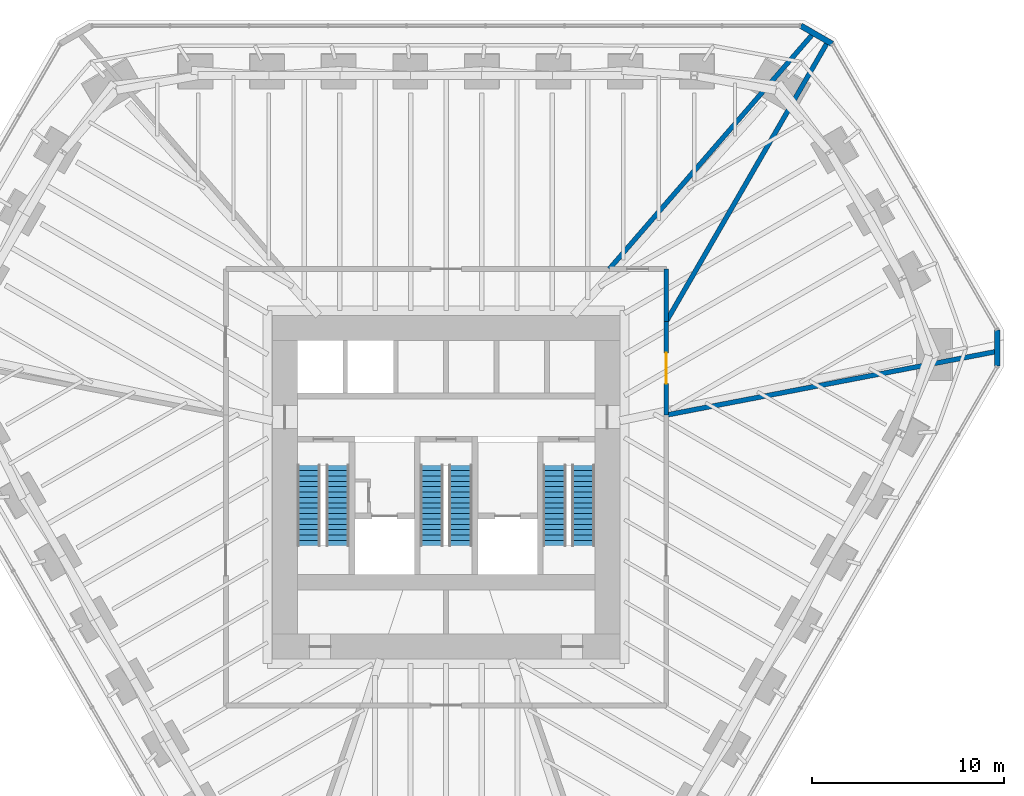
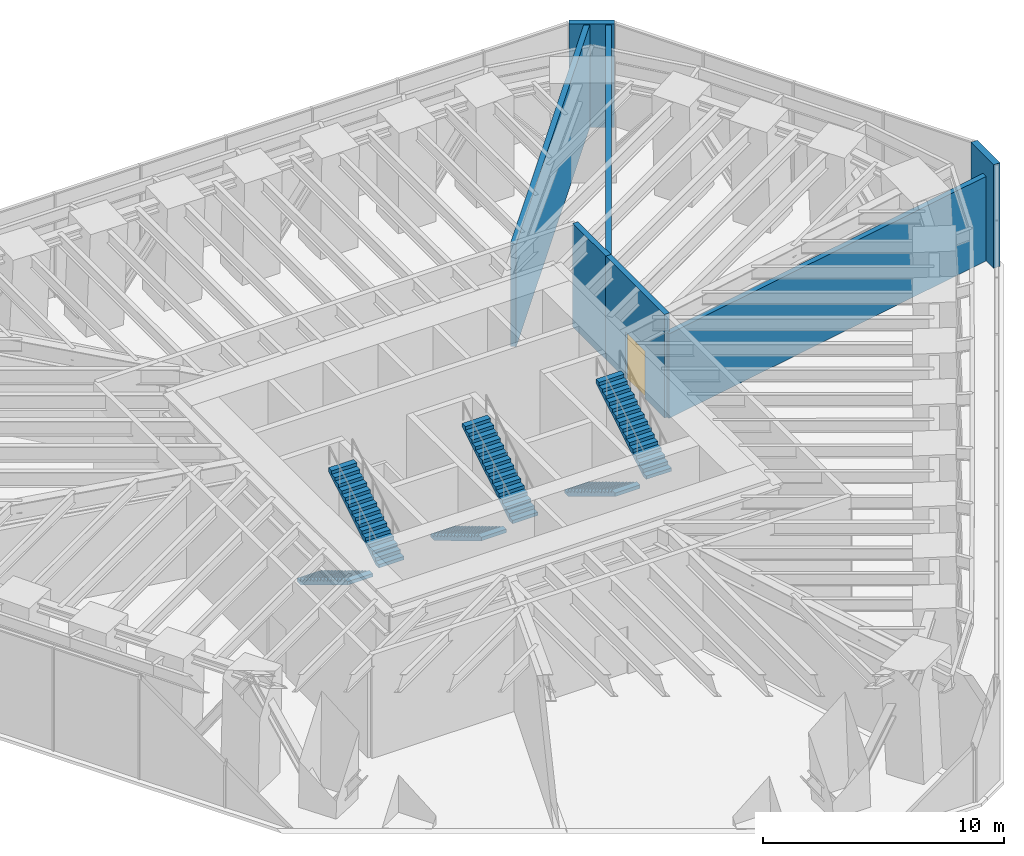
# One storey, part 11 of 12: 7 walls, 6 stair flights, 1 door, 1 opening, 3 elements without a shape of their own.
"""IFC4 building model written with IfcOpenShell, lengths in metres."""

from ifc_helpers import new_model, si_unit, direction, frame, frame_2d, origin, place, context, subcontext, project, spatial, polyline, rectangle, outline, extrude, material, layer, layer_set, type_object, element, fill, aggregate, save


model = new_model("IFC4")

# Units and contexts
model_context = context("Model", 3, precision=1e-05, world=origin(), true_north=direction((0.0, 1.0)))
body_context = subcontext(model_context, "Body", "Model", "MODEL_VIEW")
ifc_project = project(units=[si_unit("LENGTHUNIT", "METRE"), si_unit("AREAUNIT", "SQUARE_METRE"), si_unit("VOLUMEUNIT", "CUBIC_METRE"), si_unit("PLANEANGLEUNIT", "RADIAN"), si_unit("MASSUNIT", "GRAM", prefix="KILO")], contexts=[model_context])

# Site, building, storey
site_placement = place(None, origin())
site = spatial("IfcSite", under=ifc_project, at=site_placement, CompositionType="ELEMENT")
building_placement = place(site_placement, origin())
building = spatial("IfcBuilding", under=site, at=building_placement, Name="Sandreach Pilgrim Tower", CompositionType="ELEMENT")
storey_placement = place(building_placement, frame((0.0, 0.0, 172.800048828125)))
storey = spatial("IfcBuildingStorey", under=building, at=storey_placement, Name="L43", CompositionType="ELEMENT", Elevation=172.800048828125)

# Wall, opening, door
ifc_material_1 = material(Name="Acoustic gypsum board wall, double frame", Category="gypsum")
ifc_layer_1 = layer(ifc_material_1, 0.25)
ifc_layer_set_1 = layer_set([ifc_layer_1], Name="Hall partition 250")
wall_type_1 = type_object("IfcWallType", Name="Hall partition 250", PredefinedType="PARTITIONING", material=ifc_layer_set_1)
wall_1_placement = place(storey_placement, frame((11.469970703125, 2.2099609375, 0.0), z_axis=(0.0, 0.0, 1.0), x_axis=(0.0, 1.0, 0.0)))
wall_1 = element("IfcWall", 1, at=wall_1_placement, inside=storey, type_object=wall_type_1, Name="Hall partition L43-013", PredefinedType="PARTITIONING", context=body_context, shape_type="SweptSolid", body=[
    extrude(rectangle(XDim=4.8701171875, YDim=0.25, at=frame_2d((2.43505859375, 0.0))), origin(), (0.0, 0.0, 1.0), 5.239990234375),
])
opening_placement = place(wall_1_placement, frame((1.635009765625, 0.0, 0.0)))
opening = element("IfcOpeningElement", 2, at=opening_placement, cuts=wall_1, Name="Opening D16-02", PredefinedType="OPENING", context=body_context, shape_type="SweptSolid", body=[
    extrude(rectangle(XDim=1.60009765625, YDim=2.39990234375, at=frame_2d((0.800048828125, 1.199951171875))), frame((0.0, 0.125, 0.0), z_axis=(0.0, -1.0, 0.0), x_axis=(1.0, 0.0, 0.0)), (0.0, 0.0, 1.0), 0.25),
])
ifc_material_2 = material(Name="Steel door and frame", Category="steel")
door_type = type_object("IfcDoorType", Name="Hall double door", OperationType="DOUBLE_DOOR_SINGLE_SWING", PredefinedType="DOOR", material=ifc_material_2)
door_placement = place(opening_placement, origin())
door = element("IfcDoor", 3, at=door_placement, inside=storey, type_object=door_type, Name="Door 4302", OperationType="DOUBLE_DOOR_SINGLE_SWING", OverallHeight=2.39990234375, OverallWidth=1.60009765625, PredefinedType="DOOR", context=body_context, shape_type="SweptSolid", body=[
    extrude(rectangle(XDim=1.60009765625, YDim=2.39990234375, at=frame_2d((0.800048828125, 1.199951171875))), frame((0.0, 0.02490234375, 0.0), z_axis=(0.0, -1.0, 0.0), x_axis=(1.0, 0.0, 0.0)), (0.0, 0.0, 1.0), 0.050048828125),
])
fill(opening, door)

# Walls
wall_2_placement = place(storey_placement, frame((11.469970703125, 7.080078125, 0.0), z_axis=(0.0, 0.0, 1.0), x_axis=(0.0, 1.0, 0.0)))
element("IfcWall", 4, at=wall_2_placement, inside=storey, type_object=wall_type_1, Name="Hall partition L43-014", PredefinedType="PARTITIONING", context=body_context, shape_type="SweptSolid", body=[
    extrude(rectangle(XDim=2.739990234375, YDim=0.25, at=frame_2d((1.3701171875, 0.0))), origin(), (0.0, 0.0, 1.0), 5.239990234375),
])
wall_3_placement = place(storey_placement, frame((11.469970703125, 7.080078125, 0.0), z_axis=(0.0, 0.0, 1.0), x_axis=(0.499895715343, 0.866085604188, 0.0)))
element("IfcWall", 5, at=wall_3_placement, inside=storey, type_object=wall_type_1, Name="Hall partition L43-015", PredefinedType="PARTITIONING", context=body_context, shape_type="SweptSolid", body=[
    extrude(rectangle(XDim=16.87353515625, YDim=0.25, at=frame_2d((8.436767578125, 0.0))), origin(), (0.0, 0.0, 1.0), 5.199951171875),
])
wall_4_placement = place(storey_placement, frame((19.160400390625, 22.12744140625, 0.0), z_axis=(0.0, 0.0, 1.0), x_axis=(-0.654720442505, -0.755871114785, 0.0)))
element("IfcWall", 6, at=wall_4_placement, inside=storey, type_object=wall_type_1, Name="Hall partition L43-017", PredefinedType="PARTITIONING", context=body_context, shape_type="SweptSolid", body=[
    extrude(rectangle(XDim=16.282470703125, YDim=0.25, at=frame_2d((8.14111328125, 0.0))), origin(), (0.0, 0.0, 1.0), 5.199951171875),
])
wall_5_placement = place(storey_placement, frame((28.740478515625, 5.534423828125, 0.0), z_axis=(0.0, 0.0, 1.0), x_axis=(-0.981972569211, -0.189023472928, 0.0)))
element("IfcWall", 7, at=wall_5_placement, inside=storey, type_object=wall_type_1, Name="Hall partition L43-018", PredefinedType="PARTITIONING", context=body_context, shape_type="SweptSolid", body=[
    extrude(rectangle(XDim=17.587646484375, YDim=0.25, at=frame_2d((8.7939453125, 0.0))), origin(), (0.0, 0.0, 1.0), 4.282470703125),
])
ifc_material_3 = material(Name="Terracotta rainscreen on concrete", Category="masonry")
ifc_layer_2 = layer(ifc_material_3, 0.300048828125)
ifc_layer_set_2 = layer_set([ifc_layer_2], Name="Terracotta chamfer pier")
wall_type_2 = type_object("IfcWallType", Name="Terracotta chamfer pier", PredefinedType="SOLIDWALL", material=ifc_layer_set_2)
wall_6_placement = place(storey_placement, frame((18.4814453125, 22.493896484375, 0.0), z_axis=(0.0, 0.0, 1.0), x_axis=(0.865988793993, -0.500063404658, 0.0)))
element("IfcWall", 8, at=wall_6_placement, inside=storey, type_object=wall_type_2, Name="Chamfer pier L43 N", PredefinedType="SOLIDWALL", context=body_context, shape_type="SweptSolid", body=[
    extrude(rectangle(XDim=1.880126953125, YDim=0.300048828125, at=frame_2d((0.93994140625, 0.0))), origin(), (0.0, 0.0, 1.0), 5.239990234375),
])
wall_7_placement = place(storey_placement, frame((28.720947265625, 6.638427734375, 0.0), z_axis=(0.0, 0.0, 1.0), x_axis=(0.0, -1.0, 0.0)))
element("IfcWall", 9, at=wall_7_placement, inside=storey, type_object=wall_type_2, Name="Chamfer pier L43 NE", PredefinedType="SOLIDWALL", context=body_context, shape_type="SweptSolid", body=[
    extrude(rectangle(XDim=1.8798828125, YDim=0.300048828125, at=frame_2d((0.93994140625, 0.0))), origin(), (0.0, 0.0, 1.0), 5.239990234375),
])

# Stair, stair flights
ifc_material_4 = material(Name="Concrete 8000 psi", Category="concrete")
stair_type = type_object("IfcStairType", Name="Core exit stair", PredefinedType="HALF_TURN_STAIR", material=ifc_material_4)
stair_1_placement = place(storey_placement, origin())
stair_1 = element("IfcStair", 10, at=stair_1_placement, inside=storey, type_object=stair_type, Name="Exit stair ST1 L43", PredefinedType="HALF_TURN_STAIR")
ifc_material_5 = material(Name="Concrete 8000 psi", Category="concrete")
stair_flight_type = type_object("IfcStairFlightType", Name="Core stair flight 1200", PredefinedType="STRAIGHT", material=ifc_material_5)
stair_flight_1_placement = place(storey_placement, frame((-7.14990234375, -0.39990234375, 0.0), z_axis=(0.0, 0.0, 1.0), x_axis=(0.0, -1.0, 0.0)))
stair_flight_1 = element("IfcStairFlight", 11, at=stair_flight_1_placement, type_object=stair_flight_type, Name="ST1 flight 1", NumberOfRisers=16, NumberOfTreads=15, PredefinedType="STRAIGHT", RiserHeight=0.16875, TreadLength=0.28, context=body_context, shape_type="SweptSolid", body=[
    extrude(outline(polyline([(0.0, 0.0), (0.0, 0.168701171875), (0.280029296875, 0.168701171875), (0.280029296875, 0.33740234375), (0.56005859375, 0.33740234375), (0.56005859375, 0.50634765625), (0.840087890625, 0.50634765625), (0.840087890625, 0.675048828125), (1.1201171875, 0.675048828125), (1.1201171875, 0.84375), (1.39990234375, 0.84375), (1.39990234375, 1.012451171875), (1.679931640625, 1.012451171875), (1.679931640625, 1.18115234375), (1.9599609375, 1.18115234375), (1.9599609375, 1.35009765625), (2.239990234375, 1.35009765625), (2.239990234375, 1.518798828125), (2.52001953125, 1.518798828125), (2.52001953125, 1.6875), (2.800048828125, 1.6875), (2.800048828125, 1.856201171875), (3.080078125, 1.856201171875), (3.080078125, 2.02490234375), (3.360107421875, 2.02490234375), (3.360107421875, 2.19384765625), (3.639892578125, 2.19384765625), (3.639892578125, 2.362548828125), (3.919921875, 2.362548828125), (3.919921875, 2.53125), (4.199951171875, 2.53125), (4.199951171875, 2.699951171875), (4.199951171875, 2.356201171875), (0.29052734375, 0.0), (0.0, 0.0)])), frame((0.0, 0.60009765625, 0.0), z_axis=(0.0, -1.0, 0.0), x_axis=(1.0, 0.0, 0.0)), (0.0, 0.0, 1.0), 1.199951171875),
])
stair_flight_2_placement = place(storey_placement, frame((-5.64990234375, -4.60009765625, 2.699951171875), z_axis=(0.0, 0.0, 1.0), x_axis=(0.0, 1.0, 0.0)))
stair_flight_2 = element("IfcStairFlight", 12, at=stair_flight_2_placement, type_object=stair_flight_type, Name="ST1 flight 2", NumberOfRisers=16, NumberOfTreads=15, PredefinedType="STRAIGHT", RiserHeight=0.16875, TreadLength=0.28, context=body_context, shape_type="SweptSolid", body=[
    extrude(outline(polyline([(0.0, 0.0), (0.0, 0.168701171875), (0.280029296875, 0.168701171875), (0.280029296875, 0.33740234375), (0.56005859375, 0.33740234375), (0.56005859375, 0.50634765625), (0.840087890625, 0.50634765625), (0.840087890625, 0.675048828125), (1.1201171875, 0.675048828125), (1.1201171875, 0.84375), (1.39990234375, 0.84375), (1.39990234375, 1.012451171875), (1.679931640625, 1.012451171875), (1.679931640625, 1.18115234375), (1.9599609375, 1.18115234375), (1.9599609375, 1.35009765625), (2.239990234375, 1.35009765625), (2.239990234375, 1.518798828125), (2.52001953125, 1.518798828125), (2.52001953125, 1.6875), (2.800048828125, 1.6875), (2.800048828125, 1.856201171875), (3.080078125, 1.856201171875), (3.080078125, 2.02490234375), (3.360107421875, 2.02490234375), (3.360107421875, 2.19384765625), (3.639892578125, 2.19384765625), (3.639892578125, 2.362548828125), (3.919921875, 2.362548828125), (3.919921875, 2.53125), (4.199951171875, 2.53125), (4.199951171875, 2.699951171875), (4.199951171875, 2.356201171875), (0.29052734375, 0.0), (0.0, 0.0)])), frame((0.0, 0.60009765625, 0.0), z_axis=(0.0, -1.0, 0.0), x_axis=(1.0, 0.0, 0.0)), (0.0, 0.0, 1.0), 1.199951171875),
])
aggregate(stair_1, [stair_flight_1, stair_flight_2])

stair_2_placement = place(storey_placement, origin())
stair_2 = element("IfcStair", 13, at=stair_2_placement, inside=storey, type_object=stair_type, Name="Exit stair ST3 L43", PredefinedType="HALF_TURN_STAIR")
stair_flight_3_placement = place(storey_placement, frame((-0.75, -0.39990234375, 0.0), z_axis=(0.0, 0.0, 1.0), x_axis=(0.0, -1.0, 0.0)))
stair_flight_3 = element("IfcStairFlight", 14, at=stair_flight_3_placement, type_object=stair_flight_type, Name="ST3 flight 1", NumberOfRisers=16, NumberOfTreads=15, PredefinedType="STRAIGHT", RiserHeight=0.16875, TreadLength=0.28, context=body_context, shape_type="SweptSolid", body=[
    extrude(outline(polyline([(0.0, 0.0), (0.0, 0.168701171875), (0.280029296875, 0.168701171875), (0.280029296875, 0.33740234375), (0.56005859375, 0.33740234375), (0.56005859375, 0.50634765625), (0.840087890625, 0.50634765625), (0.840087890625, 0.675048828125), (1.1201171875, 0.675048828125), (1.1201171875, 0.84375), (1.39990234375, 0.84375), (1.39990234375, 1.012451171875), (1.679931640625, 1.012451171875), (1.679931640625, 1.18115234375), (1.9599609375, 1.18115234375), (1.9599609375, 1.35009765625), (2.239990234375, 1.35009765625), (2.239990234375, 1.518798828125), (2.52001953125, 1.518798828125), (2.52001953125, 1.6875), (2.800048828125, 1.6875), (2.800048828125, 1.856201171875), (3.080078125, 1.856201171875), (3.080078125, 2.02490234375), (3.360107421875, 2.02490234375), (3.360107421875, 2.19384765625), (3.639892578125, 2.19384765625), (3.639892578125, 2.362548828125), (3.919921875, 2.362548828125), (3.919921875, 2.53125), (4.199951171875, 2.53125), (4.199951171875, 2.699951171875), (4.199951171875, 2.356201171875), (0.29052734375, 0.0), (0.0, 0.0)])), frame((0.0, 0.60009765625, 0.0), z_axis=(0.0, -1.0, 0.0), x_axis=(1.0, 0.0, 0.0)), (0.0, 0.0, 1.0), 1.199951171875),
])
stair_flight_4_placement = place(storey_placement, frame((0.75, -4.60009765625, 2.699951171875), z_axis=(0.0, 0.0, 1.0), x_axis=(0.0, 1.0, 0.0)))
stair_flight_4 = element("IfcStairFlight", 15, at=stair_flight_4_placement, type_object=stair_flight_type, Name="ST3 flight 2", NumberOfRisers=16, NumberOfTreads=15, PredefinedType="STRAIGHT", RiserHeight=0.16875, TreadLength=0.28, context=body_context, shape_type="SweptSolid", body=[
    extrude(outline(polyline([(0.0, 0.0), (0.0, 0.168701171875), (0.280029296875, 0.168701171875), (0.280029296875, 0.33740234375), (0.56005859375, 0.33740234375), (0.56005859375, 0.50634765625), (0.840087890625, 0.50634765625), (0.840087890625, 0.675048828125), (1.1201171875, 0.675048828125), (1.1201171875, 0.84375), (1.39990234375, 0.84375), (1.39990234375, 1.012451171875), (1.679931640625, 1.012451171875), (1.679931640625, 1.18115234375), (1.9599609375, 1.18115234375), (1.9599609375, 1.35009765625), (2.239990234375, 1.35009765625), (2.239990234375, 1.518798828125), (2.52001953125, 1.518798828125), (2.52001953125, 1.6875), (2.800048828125, 1.6875), (2.800048828125, 1.856201171875), (3.080078125, 1.856201171875), (3.080078125, 2.02490234375), (3.360107421875, 2.02490234375), (3.360107421875, 2.19384765625), (3.639892578125, 2.19384765625), (3.639892578125, 2.362548828125), (3.919921875, 2.362548828125), (3.919921875, 2.53125), (4.199951171875, 2.53125), (4.199951171875, 2.699951171875), (4.199951171875, 2.356201171875), (0.29052734375, 0.0), (0.0, 0.0)])), frame((0.0, 0.60009765625, 0.0), z_axis=(0.0, -1.0, 0.0), x_axis=(1.0, 0.0, 0.0)), (0.0, 0.0, 1.0), 1.199951171875),
])
aggregate(stair_2, [stair_flight_3, stair_flight_4])

stair_3_placement = place(storey_placement, origin())
stair_3 = element("IfcStair", 16, at=stair_3_placement, inside=storey, type_object=stair_type, Name="Exit stair ST2 L43", PredefinedType="HALF_TURN_STAIR")
stair_flight_5_placement = place(storey_placement, frame((5.64990234375, -0.39990234375, 0.0), z_axis=(0.0, 0.0, 1.0), x_axis=(0.0, -1.0, 0.0)))
stair_flight_5 = element("IfcStairFlight", 17, at=stair_flight_5_placement, type_object=stair_flight_type, Name="ST2 flight 1", NumberOfRisers=16, NumberOfTreads=15, PredefinedType="STRAIGHT", RiserHeight=0.16875, TreadLength=0.28, context=body_context, shape_type="SweptSolid", body=[
    extrude(outline(polyline([(0.0, 0.0), (0.0, 0.168701171875), (0.280029296875, 0.168701171875), (0.280029296875, 0.33740234375), (0.56005859375, 0.33740234375), (0.56005859375, 0.50634765625), (0.840087890625, 0.50634765625), (0.840087890625, 0.675048828125), (1.1201171875, 0.675048828125), (1.1201171875, 0.84375), (1.39990234375, 0.84375), (1.39990234375, 1.012451171875), (1.679931640625, 1.012451171875), (1.679931640625, 1.18115234375), (1.9599609375, 1.18115234375), (1.9599609375, 1.35009765625), (2.239990234375, 1.35009765625), (2.239990234375, 1.518798828125), (2.52001953125, 1.518798828125), (2.52001953125, 1.6875), (2.800048828125, 1.6875), (2.800048828125, 1.856201171875), (3.080078125, 1.856201171875), (3.080078125, 2.02490234375), (3.360107421875, 2.02490234375), (3.360107421875, 2.19384765625), (3.639892578125, 2.19384765625), (3.639892578125, 2.362548828125), (3.919921875, 2.362548828125), (3.919921875, 2.53125), (4.199951171875, 2.53125), (4.199951171875, 2.699951171875), (4.199951171875, 2.356201171875), (0.29052734375, 0.0), (0.0, 0.0)])), frame((0.0, 0.60009765625, 0.0), z_axis=(0.0, -1.0, 0.0), x_axis=(1.0, 0.0, 0.0)), (0.0, 0.0, 1.0), 1.199951171875),
])
stair_flight_6_placement = place(storey_placement, frame((7.14990234375, -4.60009765625, 2.699951171875), z_axis=(0.0, 0.0, 1.0), x_axis=(0.0, 1.0, 0.0)))
stair_flight_6 = element("IfcStairFlight", 18, at=stair_flight_6_placement, type_object=stair_flight_type, Name="ST2 flight 2", NumberOfRisers=16, NumberOfTreads=15, PredefinedType="STRAIGHT", RiserHeight=0.16875, TreadLength=0.28, context=body_context, shape_type="SweptSolid", body=[
    extrude(outline(polyline([(0.0, 0.0), (0.0, 0.168701171875), (0.280029296875, 0.168701171875), (0.280029296875, 0.33740234375), (0.56005859375, 0.33740234375), (0.56005859375, 0.50634765625), (0.840087890625, 0.50634765625), (0.840087890625, 0.675048828125), (1.1201171875, 0.675048828125), (1.1201171875, 0.84375), (1.39990234375, 0.84375), (1.39990234375, 1.012451171875), (1.679931640625, 1.012451171875), (1.679931640625, 1.18115234375), (1.9599609375, 1.18115234375), (1.9599609375, 1.35009765625), (2.239990234375, 1.35009765625), (2.239990234375, 1.518798828125), (2.52001953125, 1.518798828125), (2.52001953125, 1.6875), (2.800048828125, 1.6875), (2.800048828125, 1.856201171875), (3.080078125, 1.856201171875), (3.080078125, 2.02490234375), (3.360107421875, 2.02490234375), (3.360107421875, 2.19384765625), (3.639892578125, 2.19384765625), (3.639892578125, 2.362548828125), (3.919921875, 2.362548828125), (3.919921875, 2.53125), (4.199951171875, 2.53125), (4.199951171875, 2.699951171875), (4.199951171875, 2.356201171875), (0.29052734375, 0.0), (0.0, 0.0)])), frame((0.0, 0.60009765625, 0.0), z_axis=(0.0, -1.0, 0.0), x_axis=(1.0, 0.0, 0.0)), (0.0, 0.0, 1.0), 1.199951171875),
])
aggregate(stair_3, [stair_flight_5, stair_flight_6])

save(model, "model.ifc")
